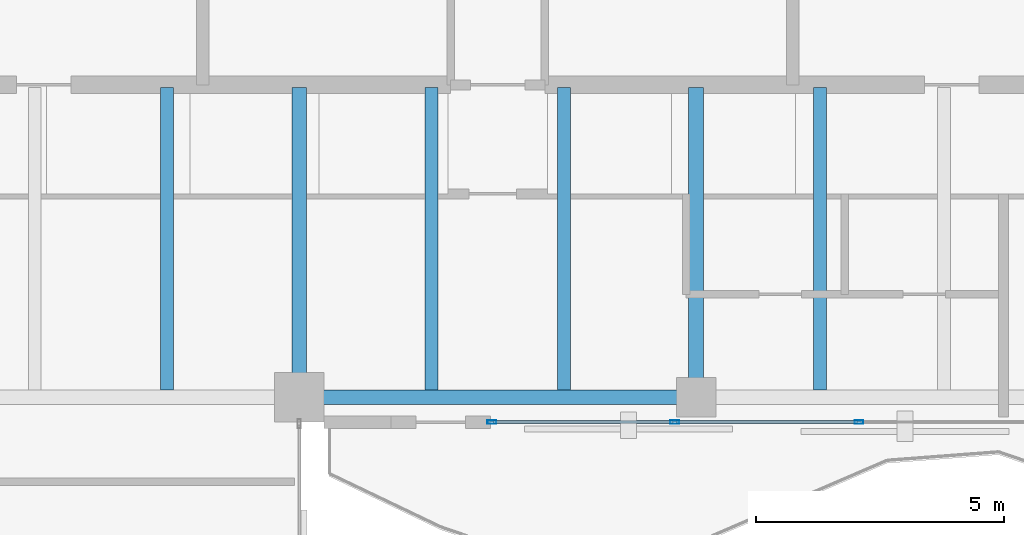
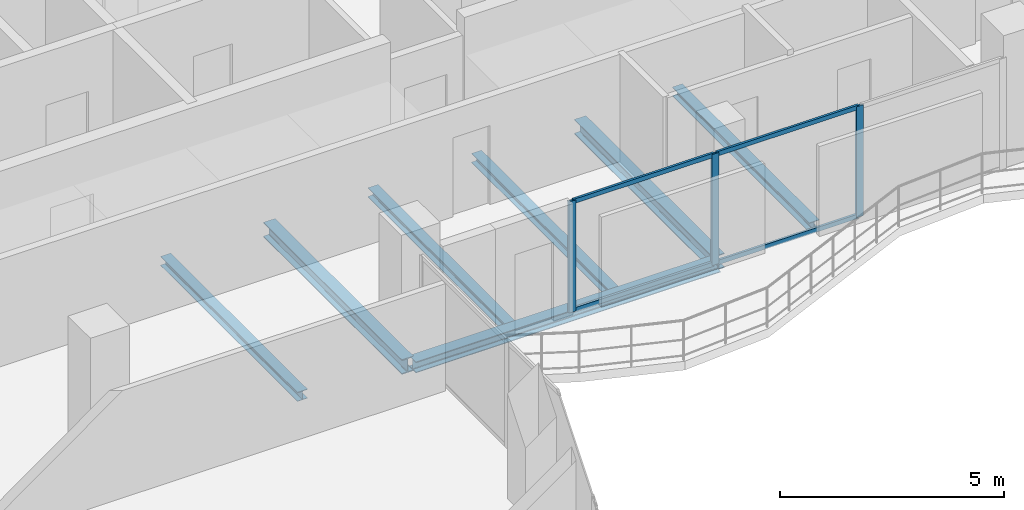
# One storey, part 11 of 23: 7 beams, 7 members, 1 element without a shape of its own.
"""IFC4 building model written with IfcOpenShell, lengths in metres."""

import ifcopenshell
import ifcopenshell.guid

model = None  # the IFC model being written
_history = None  # IfcOwnerHistory: only IFC2X3 demands one
_inside = {}  # id of a spatial element -> (the spatial element, [elements in it])
_under = {}  # id of a project, library or spatial element -> (it, [spatial elements below it])
_declared = {}  # id of a project -> (the project, [libraries it declares])
_typed = {}  # id of a type object -> (the type object, [elements of that type])
_made_of = {}  # id of a material, layer set ... -> (it, [elements and type objects made of it])


def new_model(schema):
    """Start an empty IFC model of exactly this schema.

    Asked for "IFC4X3", IfcOpenShell would pick the latest addendum, in which some entities
    have other attributes; the version numbers below select the first issue.
    IFC2X3 requires an IfcOwnerHistory on every rooted entity: one is made here for all.
    """
    global model, _history
    if schema == "IFC4X3":
        model = ifcopenshell.file(schema_version=(4, 3, 0, 0))
    else:
        model = ifcopenshell.file(schema=schema)
    _inside.clear()
    _under.clear()
    _declared.clear()
    _typed.clear()
    _made_of.clear()
    _history = None
    if model.schema == "IFC2X3":
        org = make("IfcOrganization", Name="unknown")
        user = make(
            "IfcPersonAndOrganization",
            ThePerson=make("IfcPerson", FamilyName="unknown"),
            TheOrganization=org,
        )
        app = make(
            "IfcApplication",
            ApplicationDeveloper=org,
            Version="unknown",
            ApplicationFullName="unknown",
            ApplicationIdentifier="unknown",
        )
        _history = make(
            "IfcOwnerHistory",
            OwningUser=user,
            OwningApplication=app,
            ChangeAction="ADDED",
            CreationDate=0,
        )
    return model


def make(cls, **values):
    """One entity of the class cls with the attributes given. An attribute that is None is left unset."""
    return model.create_entity(
        cls, **{name: value for name, value in values.items() if value is not None}
    )


def rooted(cls, **values):
    """An entity with a GlobalId (a new one), such as an element, a storey or a relation."""
    return make(cls, GlobalId=ifcopenshell.guid.new(), OwnerHistory=_history, **values)


def si_unit(unit_type, name, prefix=None):
    """IfcSIUnit, for example si_unit("LENGTHUNIT", "METRE", prefix="MILLI")."""
    return make("IfcSIUnit", UnitType=unit_type, Prefix=prefix, Name=name)


def assignment(units):
    """IfcUnitAssignment: the units of a project."""
    return None if units is None else make("IfcUnitAssignment", Units=units)


def point(xyz):
    """IfcCartesianPoint."""
    return None if xyz is None else make("IfcCartesianPoint", Coordinates=xyz)


def direction(xyz):
    """IfcDirection."""
    return None if xyz is None else make("IfcDirection", DirectionRatios=xyz)


def frame(location, z_axis=None, x_axis=None):
    """IfcAxis2Placement3D, a coordinate frame: its origin and axes. An axis left out is left unset."""
    return make(
        "IfcAxis2Placement3D",
        Location=point(location),
        Axis=direction(z_axis),
        RefDirection=direction(x_axis),
    )


def frame_2d(location, x_axis=None):
    """IfcAxis2Placement2D, a coordinate frame in the plane: its origin and x axis."""
    return make(
        "IfcAxis2Placement2D", Location=point(location), RefDirection=direction(x_axis)
    )


def origin():
    """The frame at (0, 0, 0) with its axes left unset."""
    return frame((0.0, 0.0, 0.0))


def origin_2d():
    """The frame at (0, 0) in the plane with its x axis left unset."""
    return frame_2d((0.0, 0.0))


def place(relative_to, where):
    """IfcLocalPlacement: puts the frame where relative to a parent placement (None: the world)."""
    return make(
        "IfcLocalPlacement", PlacementRelTo=relative_to, RelativePlacement=where
    )


def context(
    kind, dimensions, precision=None, world=None, true_north=None, identifier=None
):
    """IfcGeometricRepresentationContext, for example the 3D "Model" context."""
    return make(
        "IfcGeometricRepresentationContext",
        ContextIdentifier=identifier,
        ContextType=kind,
        CoordinateSpaceDimension=dimensions,
        Precision=precision,
        WorldCoordinateSystem=world,
        TrueNorth=true_north,
    )


def subcontext(parent, identifier, kind, view, scale=None):
    """IfcGeometricRepresentationSubContext, for example "Body" below "Model"."""
    return make(
        "IfcGeometricRepresentationSubContext",
        ContextIdentifier=identifier,
        ContextType=kind,
        ParentContext=parent,
        TargetScale=scale,
        TargetView=view,
    )


def project(units=None, contexts=None):
    """IfcProject with its units and contexts."""
    return rooted(
        "IfcProject",
        Name="project",
        RepresentationContexts=contexts,
        UnitsInContext=assignment(units),
    )


def spatial(cls, under=None, at=None, **own):
    """A site, building, storey or space (cls), placed at a placement, below another one or the project."""
    s = rooted(cls, ObjectPlacement=at, **own)
    if under is not None:
        _under.setdefault(under.id(), (under, []))[1].append(s)
    return s


def profile(cls, at=None, kind="AREA", **sizes):
    """A parametric profile (cls). Its sizes go by their IFC names, for example OverallWidth=200.0."""
    return make(cls, ProfileType=kind, Position=at, **sizes)


def hollow_rectangle(**sizes):
    """IfcRectangleHollowProfileDef."""
    return profile("IfcRectangleHollowProfileDef", **sizes)


def i_section(**sizes):
    """IfcIShapeProfileDef."""
    return profile("IfcIShapeProfileDef", **sizes)


def extrude(swept, where, along, depth):
    """IfcExtrudedAreaSolid: the profile swept, set in the frame where, extruded along a direction by depth."""
    return make(
        "IfcExtrudedAreaSolid",
        SweptArea=swept,
        Position=where,
        ExtrudedDirection=direction(along),
        Depth=depth,
    )


def shape(context_of_items, identifier, shape_type, items):
    """IfcShapeRepresentation: the items that make up one representation, for example the "Body"."""
    return make(
        "IfcShapeRepresentation",
        ContextOfItems=context_of_items,
        RepresentationIdentifier=identifier,
        RepresentationType=shape_type,
        Items=items,
    )


def material(Name=None, Category=None):
    """IfcMaterial."""
    return make("IfcMaterial", Name=Name, Category=Category)


def layer(
    of_material, thickness, ventilated=None, Name=None, Category=None, Priority=None
):
    """IfcMaterialLayer: one layer of a wall or slab, of a material (None: an air gap)."""
    return make(
        "IfcMaterialLayer",
        Material=of_material,
        LayerThickness=thickness,
        IsVentilated=ventilated,
        Name=Name,
        Category=Category,
        Priority=Priority,
    )


def layer_set(layers, Name=None):
    """IfcMaterialLayerSet."""
    return make("IfcMaterialLayerSet", MaterialLayers=layers, LayerSetName=Name)


def material_profile(
    of_material, cross_section, Name=None, Category=None, Priority=None
):
    """IfcMaterialProfile: a cross section and its material."""
    return make(
        "IfcMaterialProfile",
        Name=Name,
        Material=of_material,
        Profile=cross_section,
        Priority=Priority,
        Category=Category,
    )


def profile_set(profiles, Name=None, composite=None):
    """IfcMaterialProfileSet."""
    return make(
        "IfcMaterialProfileSet",
        Name=Name,
        MaterialProfiles=profiles,
        CompositeProfile=composite,
    )


def made_of(thing, what):
    """Note that an element or type object is made of a material, layer set ...; save() writes the relation."""
    if what is not None:
        _made_of.setdefault(what.id(), (what, []))[1].append(thing)
    return thing


def type_object(cls, material=None, **own):
    """A type object (cls), such as IfcWallType, which elements share."""
    return made_of(rooted(cls, **own), material)


def element(
    cls,
    number,
    at=None,
    inside=None,
    cuts=None,
    type_object=None,
    material=None,
    context=None,
    identifier="Body",
    shape_type=None,
    held_by="IfcProductDefinitionShape",
    body=None,
    shapes=None,
    **own,
):
    """One element of the class cls, such as IfcWall. Its Tag is "e" and its number.

    at: its placement. inside: the storey or other place that contains it. cuts: it is an
    opening in that element (IfcRelVoidsElement). A single representation is given by context,
    identifier, shape_type and body (its items); several are given by shapes. held_by: the class
    of the entity that holds the representations. save() writes the other relations.
    """
    e = rooted(cls, Tag="e%d" % number, ObjectPlacement=at, **own)
    if body is not None:
        shapes = [shape(context, identifier, shape_type, body)]
    if shapes is not None:
        e.Representation = make(held_by, Representations=shapes)
    if inside is not None:
        _inside.setdefault(inside.id(), (inside, []))[1].append(e)
    if cuts is not None:
        rooted(
            "IfcRelVoidsElement", RelatingBuildingElement=cuts, RelatedOpeningElement=e
        )
    if type_object is not None:
        _typed.setdefault(type_object.id(), (type_object, []))[1].append(e)
    return made_of(e, material)


def aggregate(whole, parts):
    """IfcRelAggregates: a whole, such as a stair, and the parts it consists of."""
    return rooted("IfcRelAggregates", RelatingObject=whole, RelatedObjects=parts)


def save(model, path):
    """Write the relations noted so far, then the file.

    IfcRelAggregates (storeys below a building ...), IfcRelContainedInSpatialStructure (elements
    in a storey), IfcRelDefinesByType, IfcRelAssociatesMaterial and IfcRelDeclares: one each for
    every whole, place, type object, material and project.
    """
    for whole, parts in _under.values():
        aggregate(whole, parts)
    for where, things in _inside.values():
        rooted(
            "IfcRelContainedInSpatialStructure",
            RelatedElements=things,
            RelatingStructure=where,
        )
    for kind, things in _typed.values():
        rooted("IfcRelDefinesByType", RelatedObjects=things, RelatingType=kind)
    for what, things in _made_of.values():
        rooted("IfcRelAssociatesMaterial", RelatedObjects=things, RelatingMaterial=what)
    for by, libraries in _declared.values():
        rooted("IfcRelDeclares", RelatingContext=by, RelatedDefinitions=libraries)
    model.write(path)


model = new_model("IFC4")

# Units and contexts
model_context = context("Model", 3, precision=1e-05, world=origin(), true_north=direction((0.0, 1.0)))
body_context = subcontext(model_context, "Body", "Model", "MODEL_VIEW")
ifc_project = project(units=[si_unit("LENGTHUNIT", "METRE"), si_unit("AREAUNIT", "SQUARE_METRE"), si_unit("VOLUMEUNIT", "CUBIC_METRE"), si_unit("PLANEANGLEUNIT", "RADIAN"), si_unit("MASSUNIT", "GRAM", prefix="KILO")], contexts=[model_context])

# Site, building, storey
site_placement = place(None, origin())
site = spatial("IfcSite", under=ifc_project, at=site_placement, CompositionType="ELEMENT")
building_placement = place(site_placement, origin())
building = spatial("IfcBuilding", under=site, at=building_placement, Name="Catumbela Crestline Tower", CompositionType="ELEMENT")
storey_placement = place(building_placement, frame((0.0, 0.0, 186.6)))
storey = spatial("IfcBuildingStorey", under=building, at=storey_placement, Name="L48", CompositionType="ELEMENT", Elevation=186.6)

# Beams
ifc_material_1 = material(Name="Structural steel S355J2", Category="steel")
ifc_material_profile_1 = material_profile(ifc_material_1, i_section(OverallWidth=0.3, OverallDepth=0.4, WebThickness=0.0135, FlangeThickness=0.024, FilletRadius=0.027, at=origin_2d()), Name="HEB 400")
ifc_profile_set_1 = profile_set([ifc_material_profile_1], Name="Structural steel S355J2")
beam_type_1 = type_object("IfcBeamType", Name="BG-HEB400", PredefinedType="BEAM", material=ifc_profile_set_1)
for number, where, z_axis, x_axis, name in (
    (1, (24.0, 24.58, -0.46), (0.0, 1.0, 0.0), (-1.0, 0.0, 0.0), "L48 Beam BM-L48-SNS18"),
    (2, (32.0, 24.58, -0.46), (0.0, 1.0, 0.0), (-1.0, 0.0, 0.0), "L48 Beam BM-L48-SNS19"),
):
    element("IfcBeam", number, at=place(storey_placement, frame(where, z_axis=z_axis, x_axis=x_axis)), inside=storey, type_object=beam_type_1, Name=name, PredefinedType="BEAM", context=body_context, shape_type="SweptSolid", body=[
        extrude(i_section(OverallWidth=0.3, OverallDepth=0.4, WebThickness=0.0135, FlangeThickness=0.024, FilletRadius=0.027, at=origin_2d()), origin(), (0.0, 0.0, 1.0), 6.17),
    ])
ifc_material_profile_2 = material_profile(ifc_material_1, i_section(OverallWidth=0.26, OverallDepth=0.25, WebThickness=0.0075, FlangeThickness=0.0125, FilletRadius=0.024, at=origin_2d()), Name="HEA 260")
ifc_profile_set_2 = profile_set([ifc_material_profile_2], Name="Structural steel S355J2")
beam_type_2 = type_object("IfcBeamType", Name="BJ-HEA260", PredefinedType="JOIST", material=ifc_profile_set_2)
for number, where, z_axis, x_axis, name in (
    (3, (21.333, 24.647, -0.385), (0.0, 1.0, 0.0), (-1.0, 0.0, 0.0), "L48 Joist JS-L48-SP27"),
    (4, (26.667, 24.647, -0.385), (0.0, 1.0, 0.0), (-1.0, 0.0, 0.0), "L48 Joist JS-L48-SP28"),
    (5, (29.333, 24.647, -0.385), (0.0, 1.0, 0.0), (-1.0, 0.0, 0.0), "L48 Joist JS-L48-SP29"),
    (6, (34.5, 24.647, -0.385), (0.0, 1.0, 0.0), (-1.0, 0.0, 0.0), "L48 Joist JS-L48-SP30"),
):
    element("IfcBeam", number, at=place(storey_placement, frame(where, z_axis=z_axis, x_axis=x_axis)), inside=storey, type_object=beam_type_2, Name=name, PredefinedType="JOIST", context=body_context, shape_type="SweptSolid", body=[
        extrude(i_section(OverallWidth=0.26, OverallDepth=0.25, WebThickness=0.0075, FlangeThickness=0.0125, FilletRadius=0.024, at=origin_2d()), origin(), (0.0, 0.0, 1.0), 6.103),
    ])

# Curtain wall, members
ifc_material_2 = material(Name="Aluminium alloy AW-6060-T66", Category="aluminium")
ifc_layer = layer(ifc_material_2, 0.18, Name="Aluminium alloy AW-6060-T66")
ifc_layer_set = layer_set([ifc_layer], Name="Aluminium alloy AW-6060-T66")
curtain_wall_type = type_object("IfcCurtainWallType", Name="CWU-Z3", PredefinedType="USERDEFINED", material=ifc_layer_set)
curtain_wall_placement = place(storey_placement, origin())
curtain_wall = element("IfcCurtainWall", 7, at=curtain_wall_placement, inside=storey, type_object=curtain_wall_type, Name="L48 Unitised Curtain Wall CW-L48-E3S2", ObjectType="UNITISED", PredefinedType="USERDEFINED")
ifc_material_profile_3 = material_profile(ifc_material_2, hollow_rectangle(XDim=0.065, YDim=0.18, WallThickness=0.004, at=origin_2d()), Name="ALU 180x65x4")
ifc_profile_set_3 = profile_set([ifc_material_profile_3], Name="Aluminium alloy AW-6060-T66")
member_type_1 = type_object("IfcMemberType", Name="MUL-180X65", PredefinedType="MULLION", material=ifc_profile_set_3)
member_1_placement = place(storey_placement, frame((27.8825, 24.0, 0.0), z_axis=(0.0, 0.0, 1.0), x_axis=(0.0, 1.0, 0.0)))
member_1 = element("IfcMember", 8, at=member_1_placement, type_object=member_type_1, Name="CWU-Z3 mullion 1", PredefinedType="MULLION", context=body_context, shape_type="SweptSolid", body=[
    extrude(hollow_rectangle(XDim=0.065, YDim=0.18, WallThickness=0.004, at=origin_2d()), origin(), (0.0, 0.0, 1.0), 3.02),
])
member_2_placement = place(storey_placement, frame((31.5667, 24.0, 0.0), z_axis=(0.0, 0.0, 1.0), x_axis=(0.0, 1.0, 0.0)))
member_2 = element("IfcMember", 9, at=member_2_placement, type_object=member_type_1, Name="CWU-Z3 mullion 2", PredefinedType="MULLION", context=body_context, shape_type="SweptSolid", body=[
    extrude(hollow_rectangle(XDim=0.065, YDim=0.18, WallThickness=0.004, at=origin_2d()), origin(), (0.0, 0.0, 1.0), 3.02),
])
member_3_placement = place(storey_placement, frame((35.2833, 24.0, 0.0), z_axis=(0.0, 0.0, 1.0), x_axis=(0.0, 1.0, 0.0)))
member_3 = element("IfcMember", 10, at=member_3_placement, type_object=member_type_1, Name="CWU-Z3 mullion 3", PredefinedType="MULLION", context=body_context, shape_type="SweptSolid", body=[
    extrude(hollow_rectangle(XDim=0.065, YDim=0.18, WallThickness=0.004, at=origin_2d()), origin(), (0.0, 0.0, 1.0), 3.02),
])

# Beam
ifc_material_profile_4 = material_profile(ifc_material_1, i_section(OverallWidth=0.3, OverallDepth=0.3, WebThickness=0.011, FlangeThickness=0.019, FilletRadius=0.027, at=origin_2d()), Name="HEB 300")
ifc_profile_set_4 = profile_set([ifc_material_profile_4], Name="Structural steel S355J2")
beam_type_3 = type_object("IfcBeamType", Name="BS-HEB300", PredefinedType="SPANDREL", material=ifc_profile_set_4)
beam_placement = place(storey_placement, frame((24.08, 24.5, -0.41), z_axis=(1.0, 0.0, 0.0), x_axis=(0.0, 1.0, 0.0)))
element("IfcBeam", 11, at=beam_placement, inside=storey, type_object=beam_type_3, Name="L48 Spandrel SP-L48-S04", PredefinedType="SPANDREL", context=body_context, shape_type="SweptSolid", body=[
    extrude(i_section(OverallWidth=0.3, OverallDepth=0.3, WebThickness=0.011, FlangeThickness=0.019, FilletRadius=0.027, at=origin_2d()), origin(), (0.0, 0.0, 1.0), 7.84),
])

# Member
ifc_material_profile_5 = material_profile(ifc_material_2, hollow_rectangle(XDim=0.06, YDim=0.12, WallThickness=0.0035, at=origin_2d()), Name="ALU 120x60x3.5")
ifc_profile_set_5 = profile_set([ifc_material_profile_5], Name="Aluminium alloy AW-6060-T66")
member_type_2 = type_object("IfcMemberType", Name="TRN-120X60", PredefinedType="USERDEFINED", material=ifc_profile_set_5)
member_4_placement = place(storey_placement, frame((27.915, 24.0, 0.03), z_axis=(1.0, 0.0, 0.0), x_axis=(0.0, 1.0, 0.0)))
member_4 = element("IfcMember", 12, at=member_4_placement, type_object=member_type_2, Name="CWU-Z3 transom 1.1", ObjectType="TRANSOM", PredefinedType="USERDEFINED", context=body_context, shape_type="SweptSolid", body=[
    extrude(hollow_rectangle(XDim=0.06, YDim=0.12, WallThickness=0.0035, at=origin_2d()), origin(), (0.0, 0.0, 1.0), 3.6192),
])

member_5_placement = place(storey_placement, frame((27.915, 24.0, 2.99), z_axis=(1.0, 0.0, 0.0), x_axis=(0.0, 1.0, 0.0)))
member_5 = element("IfcMember", 13, at=member_5_placement, type_object=member_type_2, Name="CWU-Z3 transom 1.2", ObjectType="TRANSOM", PredefinedType="USERDEFINED", context=body_context, shape_type="SweptSolid", body=[
    extrude(hollow_rectangle(XDim=0.06, YDim=0.12, WallThickness=0.0035, at=origin_2d()), origin(), (0.0, 0.0, 1.0), 3.6192),
])

member_6_placement = place(storey_placement, frame((31.5992, 24.0, 0.03), z_axis=(1.0, 0.0, 0.0), x_axis=(0.0, 1.0, 0.0)))
member_6 = element("IfcMember", 14, at=member_6_placement, type_object=member_type_2, Name="CWU-Z3 transom 2.1", ObjectType="TRANSOM", PredefinedType="USERDEFINED", context=body_context, shape_type="SweptSolid", body=[
    extrude(hollow_rectangle(XDim=0.06, YDim=0.12, WallThickness=0.0035, at=origin_2d()), origin(), (0.0, 0.0, 1.0), 3.6516),
])

member_7_placement = place(storey_placement, frame((31.5992, 24.0, 2.99), z_axis=(1.0, 0.0, 0.0), x_axis=(0.0, 1.0, 0.0)))
member_7 = element("IfcMember", 15, at=member_7_placement, type_object=member_type_2, Name="CWU-Z3 transom 2.2", ObjectType="TRANSOM", PredefinedType="USERDEFINED", context=body_context, shape_type="SweptSolid", body=[
    extrude(hollow_rectangle(XDim=0.06, YDim=0.12, WallThickness=0.0035, at=origin_2d()), origin(), (0.0, 0.0, 1.0), 3.6516),
])

aggregate(curtain_wall, [member_1, member_2, member_3, member_4, member_5, member_6, member_7])

save(model, "model.ifc")
